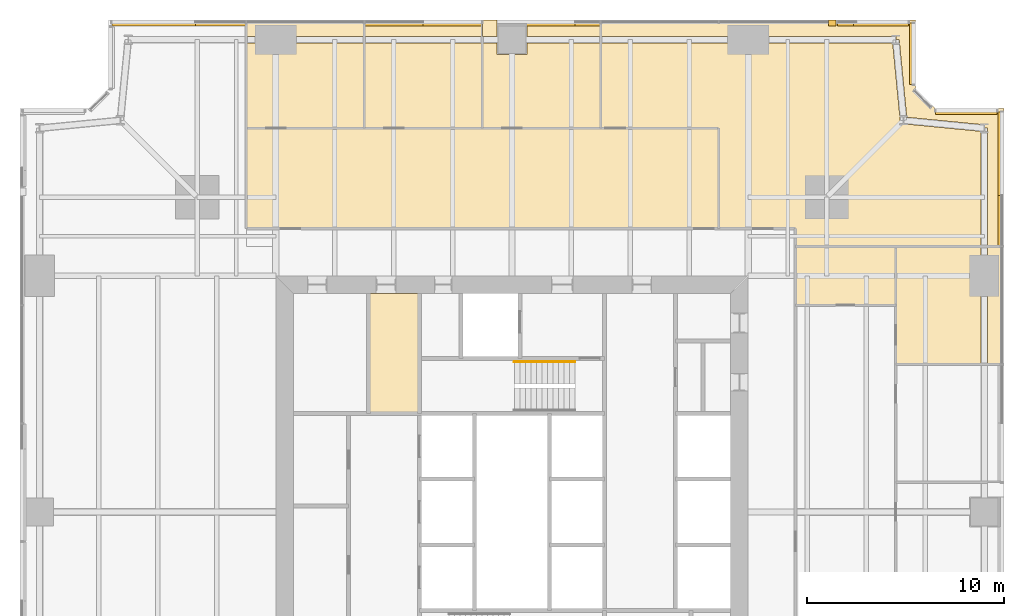
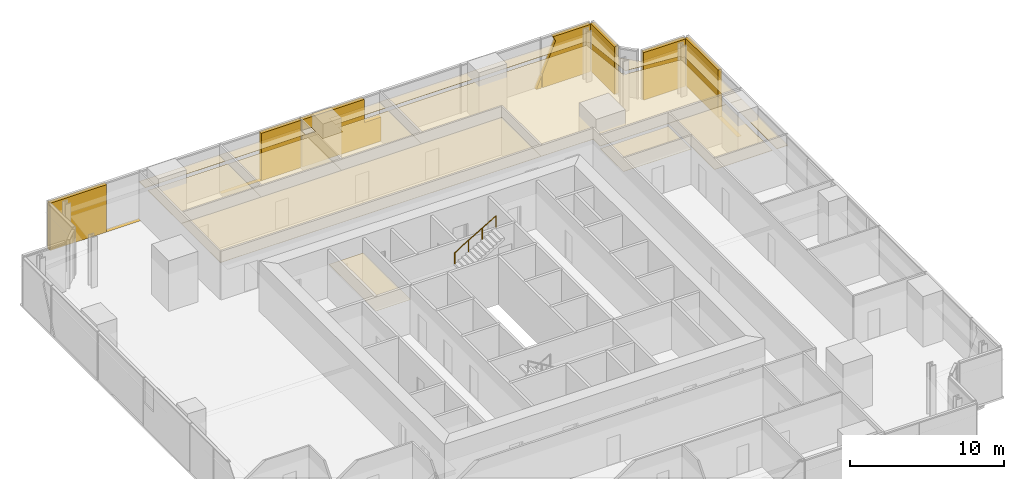
# One storey, part 13 of 13: 22 coverings, 1 railing.
"""IFC4 building model written with IfcOpenShell, lengths in metres."""

from ifc_helpers import new_model, si_unit, direction, frame, origin, origin_2d, place, context, subcontext, project, spatial, polyline, circle, outline, extrude, material, layer, layer_set, type_object, element, save


model = new_model("IFC4")

# Units and contexts
model_context = context("Model", 3, precision=1e-05, world=origin(), true_north=direction((0.0, 1.0)))
body_context = subcontext(model_context, "Body", "Model", "MODEL_VIEW")
ifc_project = project(units=[si_unit("LENGTHUNIT", "METRE"), si_unit("AREAUNIT", "SQUARE_METRE"), si_unit("VOLUMEUNIT", "CUBIC_METRE"), si_unit("PLANEANGLEUNIT", "RADIAN"), si_unit("MASSUNIT", "GRAM", prefix="KILO")], contexts=[model_context])

# Site, building, storey
site_placement = place(None, origin())
site = spatial("IfcSite", under=ifc_project, at=site_placement, CompositionType="ELEMENT")
building_placement = place(site_placement, origin())
building = spatial("IfcBuilding", under=site, at=building_placement, Name="Fenwick Lantern Interchange", CompositionType="ELEMENT")
storey_placement = place(building_placement, frame((0.0, 0.0, 110.39990234375)))
storey = spatial("IfcBuildingStorey", under=building, at=storey_placement, Name="L25", CompositionType="ELEMENT", Elevation=110.39990234375)

# Coverings
ifc_material_1 = material(Name="Mineral fibre acoustic tile on suspended grid")
ifc_layer_1 = layer(ifc_material_1, 0.02001953125)
ifc_layer_set_1 = layer_set([ifc_layer_1], Name="ACOUSTIC TILE CEILING 20")
covering_type_1 = type_object("IfcCoveringType", Name="ACOUSTIC TILE CEILING 20", PredefinedType="CEILING", material=ifc_layer_set_1)
covering_1_placement = place(storey_placement, frame((0.0, 0.0, 2.900146484375)))
element("IfcCovering", 1, at=covering_1_placement, inside=storey, type_object=covering_type_1, Name="Meeting room ceiling", PredefinedType="CEILING", context=body_context, shape_type="SweptSolid", body=[
    extrude(outline(polyline([(44.5, 32.5), (48.82763671875, 32.5), (48.82763671875, 37.0), (48.82763671875, 38.5), (44.5, 38.5), (44.5, 32.5)])), origin(), (0.0, 0.0, 1.0), 0.02001953125),
])
covering_2_placement = place(storey_placement, frame((0.0, 0.0, 2.900146484375)))
element("IfcCovering", 2, at=covering_2_placement, inside=storey, type_object=covering_type_1, Name="Meeting room ceiling", PredefinedType="CEILING", context=body_context, shape_type="SweptSolid", body=[
    extrude(outline(polyline([(50.0, 38.5), (49.17236328125, 38.5), (49.17236328125, 37.0), (49.17236328125, 32.5), (50.0, 32.5), (50.0, 38.5)])), origin(), (0.0, 0.0, 1.0), 0.02001953125),
])
covering_3_placement = place(storey_placement, frame((0.0, 0.0, 2.900146484375)))
element("IfcCovering", 3, at=covering_3_placement, inside=storey, type_object=covering_type_1, Name="Office suite ceiling", PredefinedType="CEILING", context=body_context, shape_type="SweptSolid", body=[
    extrude(outline(polyline([(35.5, 39.39990234375), (35.5, 44.5), (11.5, 44.5), (11.5, 39.39990234375), (35.5, 39.39990234375)])), origin(), (0.0, 0.0, 1.0), 0.02001953125),
])
covering_4_placement = place(storey_placement, frame((0.0, 0.0, 2.900146484375)))
element("IfcCovering", 4, at=covering_4_placement, inside=storey, type_object=covering_type_1, Name="Meeting room ceiling", PredefinedType="CEILING", context=body_context, shape_type="SweptSolid", body=[
    extrude(outline(polyline([(29.5, 48.82763671875), (29.5, 44.5), (35.5, 44.5), (35.5, 39.39990234375), (39.39990234375, 39.39990234375), (39.39990234375, 38.5), (48.82763671875, 38.5), (48.82763671875, 44.343505859375), (44.88330078125, 44.728515625), (44.89990234375, 44.89990234375), (44.728515625, 44.88330078125), (44.343505859375, 48.82763671875), (37.0, 48.82763671875), (29.5, 48.82763671875)])), origin(), (0.0, 0.0, 1.0), 0.02001953125),
])
covering_5_placement = place(storey_placement, frame((0.0, 0.0, 2.900146484375)))
element("IfcCovering", 5, at=covering_5_placement, inside=storey, type_object=covering_type_1, Name="Meeting room ceiling", PredefinedType="CEILING", context=body_context, shape_type="SweptSolid", body=[
    extrude(outline(polyline([(29.5, 50.0), (29.5, 49.17236328125), (37.0, 49.17236328125), (44.5, 49.17236328125), (44.5, 49.0), (44.671630859375, 49.016845703125), (45.057861328125, 45.057861328125), (49.016845703125, 44.671630859375), (49.0, 44.5), (49.17236328125, 44.5), (49.17236328125, 38.5), (50.0, 38.5), (50.0, 45.5), (46.5, 45.5), (45.5, 46.5), (45.5, 50.0), (29.5, 50.0)])), origin(), (0.0, 0.0, 1.0), 0.02001953125),
])
covering_6_placement = place(storey_placement, frame((0.0, 0.0, 2.900146484375)))
element("IfcCovering", 6, at=covering_6_placement, inside=storey, type_object=covering_type_1, Name="Meeting room ceiling", PredefinedType="CEILING", context=body_context, shape_type="SweptSolid", body=[
    extrude(outline(polyline([(29.5, 44.5), (29.5, 48.82763671875), (25.75, 48.82763671875), (25.75, 48.25), (24.25, 48.25), (24.25, 48.82763671875), (23.5, 48.82763671875), (23.5, 44.5), (29.5, 44.5)])), origin(), (0.0, 0.0, 1.0), 0.02001953125),
])
covering_7_placement = place(storey_placement, frame((0.0, 0.0, 2.900146484375)))
element("IfcCovering", 7, at=covering_7_placement, inside=storey, type_object=covering_type_1, Name="Meeting room ceiling", PredefinedType="CEILING", context=body_context, shape_type="SweptSolid", body=[
    extrude(outline(polyline([(29.5, 49.17236328125), (29.5, 50.0), (25.75, 50.0), (25.75, 49.17236328125), (29.5, 49.17236328125)])), origin(), (0.0, 0.0, 1.0), 0.02001953125),
])
covering_8_placement = place(storey_placement, frame((0.0, 0.0, 2.900146484375)))
element("IfcCovering", 8, at=covering_8_placement, inside=storey, type_object=covering_type_1, Name="Meeting room ceiling", PredefinedType="CEILING", context=body_context, shape_type="SweptSolid", body=[
    extrude(outline(polyline([(23.5, 50.0), (23.5, 49.17236328125), (24.25, 49.17236328125), (24.25, 50.0), (23.5, 50.0)])), origin(), (0.0, 0.0, 1.0), 0.02001953125),
])
covering_9_placement = place(storey_placement, frame((0.0, 0.0, 2.900146484375)))
element("IfcCovering", 9, at=covering_9_placement, inside=storey, type_object=covering_type_1, Name="Meeting room ceiling", PredefinedType="CEILING", context=body_context, shape_type="SweptSolid", body=[
    extrude(outline(polyline([(23.5, 44.5), (23.5, 48.82763671875), (17.5, 48.82763671875), (17.5, 44.5), (23.5, 44.5)])), origin(), (0.0, 0.0, 1.0), 0.02001953125),
])
covering_10_placement = place(storey_placement, frame((0.0, 0.0, 2.900146484375)))
element("IfcCovering", 10, at=covering_10_placement, inside=storey, type_object=covering_type_1, Name="Meeting room ceiling", PredefinedType="CEILING", context=body_context, shape_type="SweptSolid", body=[
    extrude(outline(polyline([(17.5, 50.0), (17.5, 49.17236328125), (23.5, 49.17236328125), (23.5, 50.0), (17.5, 50.0)])), origin(), (0.0, 0.0, 1.0), 0.02001953125),
])
covering_11_placement = place(storey_placement, frame((0.0, 0.0, 2.900146484375)))
element("IfcCovering", 11, at=covering_11_placement, inside=storey, type_object=covering_type_1, Name="Meeting room ceiling", PredefinedType="CEILING", context=body_context, shape_type="SweptSolid", body=[
    extrude(outline(polyline([(17.5, 44.5), (17.5, 48.82763671875), (13.0, 48.82763671875), (11.5, 48.82763671875), (11.5, 44.5), (17.5, 44.5)])), origin(), (0.0, 0.0, 1.0), 0.02001953125),
])
covering_12_placement = place(storey_placement, frame((0.0, 0.0, 2.900146484375)))
element("IfcCovering", 12, at=covering_12_placement, inside=storey, type_object=covering_type_1, Name="Meeting room ceiling", PredefinedType="CEILING", context=body_context, shape_type="SweptSolid", body=[
    extrude(outline(polyline([(11.5, 50.0), (11.5, 49.17236328125), (13.0, 49.17236328125), (17.5, 49.17236328125), (17.5, 50.0), (11.5, 50.0)])), origin(), (0.0, 0.0, 1.0), 0.02001953125),
])
ifc_material_2 = material(Name="Granite cladding, warm grey flamed finish, on aluminium carrier frame", Category="masonry")
ifc_layer_2 = layer(ifc_material_2, 0.300048828125)
ifc_layer_set_2 = layer_set([ifc_layer_2], Name="BRACE CASING PANEL 300")
covering_type_2 = type_object("IfcCoveringType", Name="BRACE CASING PANEL 300", PredefinedType="CLADDING", material=ifc_layer_set_2)
covering_13_placement = place(storey_placement, frame((49.89990234375, 4.60009765625, 0.0), z_axis=(0.0, 0.0, 1.0), x_axis=(0.0, 1.0, 0.0)))
element("IfcCovering", 13, at=covering_13_placement, inside=storey, type_object=covering_type_2, Name="Brace casing 05 bay 06a", PredefinedType="CLADDING", context=body_context, shape_type="SweptSolid", body=[
    extrude(outline(polyline([(33.9326171875, 0.0), (40.735107421875, 0.0), (40.735107421875, 3.75), (36.487548828125, 3.75), (36.487548828125, 0.003173828125), (33.9326171875, 0.003173828125), (33.9326171875, 0.0)])), frame((0.0, 0.2001953125, 0.0), z_axis=(0.0, -1.0, 0.0), x_axis=(1.0, 0.0, 0.0)), (0.0, 0.0, 1.0), 0.300048828125),
])
for number, where, z_axis, x_axis, name in (
    (14, (49.89990234375, 45.39990234375, 0.0), (0.0, 0.0, 1.0), (-1.0, 0.0, 0.0), "Brace casing 06 bay 00a"),
    (15, (45.39990234375, 46.45849609375, 0.0), (0.0, 0.0, 1.0), (0.0, 1.0, 0.0), "Brace casing 08 bay 00a"),
):
    element("IfcCovering", number, at=place(storey_placement, frame(where, z_axis=z_axis, x_axis=x_axis)), inside=storey, type_object=covering_type_2, Name=name, PredefinedType="CLADDING", context=body_context, shape_type="SweptSolid", body=[
        extrude(outline(polyline([(0.264892578125, 0.0), (3.37646484375, 0.0), (3.37646484375, 3.75), (0.264892578125, 3.75), (0.264892578125, 0.0)])), frame((0.0, 0.2001953125, 0.0), z_axis=(0.0, -1.0, 0.0), x_axis=(1.0, 0.0, 0.0)), (0.0, 0.0, 1.0), 0.300048828125),
    ])
covering_14_placement = place(storey_placement, frame((45.39990234375, 49.89990234375, 0.0), z_axis=(0.0, 0.0, 1.0), x_axis=(-1.0, 0.0, 0.0)))
element("IfcCovering", 16, at=covering_14_placement, inside=storey, type_object=covering_type_2, Name="Brace casing 09 bay 00a", PredefinedType="CLADDING", context=body_context, shape_type="SweptSolid", body=[
    extrude(outline(polyline([(0.264892578125, 0.0), (3.867431640625, 0.0), (3.867431640625, 1.041015625), (2.87255859375, 3.361328125), (3.0546875, 3.75), (0.264892578125, 3.75), (0.264892578125, 0.0)])), frame((0.0, 0.2001953125, 0.0), z_axis=(0.0, -1.0, 0.0), x_axis=(1.0, 0.0, 0.0)), (0.0, 0.0, 1.0), 0.300048828125),
])
covering_15_placement = place(storey_placement, frame((45.39990234375, 49.89990234375, 0.0), z_axis=(0.0, 0.0, 1.0), x_axis=(-1.0, 0.0, 0.0)))
element("IfcCovering", 17, at=covering_15_placement, inside=storey, type_object=covering_type_2, Name="Brace casing 09 bay 01a", PredefinedType="CLADDING", context=body_context, shape_type="SweptSolid", body=[
    extrude(outline(polyline([(3.9326171875, 0.0), (4.313720703125, 0.0), (3.9326171875, 0.889404296875), (3.9326171875, 0.0)])), frame((0.0, 0.2001953125, 0.0), z_axis=(0.0, -1.0, 0.0), x_axis=(1.0, 0.0, 0.0)), (0.0, 0.0, 1.0), 0.300048828125),
])
covering_16_placement = place(storey_placement, frame((45.39990234375, 49.89990234375, 0.0), z_axis=(0.0, 0.0, 1.0), x_axis=(-1.0, 0.0, 0.0)))
element("IfcCovering", 18, at=covering_16_placement, inside=storey, type_object=covering_type_2, Name="Brace casing 09 bay 03a", PredefinedType="CLADDING", context=body_context, shape_type="SweptSolid", body=[
    extrude(outline(polyline([(15.9326171875, 0.0), (21.867431640625, 0.0), (21.867431640625, 3.75), (17.197509765625, 3.75), (17.197509765625, 1.907958984375), (15.9326171875, 1.907958984375), (15.9326171875, 0.0)])), frame((0.0, 0.2001953125, 0.0), z_axis=(0.0, -1.0, 0.0), x_axis=(1.0, 0.0, 0.0)), (0.0, 0.0, 1.0), 0.300048828125),
])
covering_17_placement = place(storey_placement, frame((45.39990234375, 49.89990234375, 0.0), z_axis=(0.0, 0.0, 1.0), x_axis=(-1.0, 0.0, 0.0)))
element("IfcCovering", 19, at=covering_17_placement, inside=storey, type_object=covering_type_2, Name="Brace casing 09 bay 04a", PredefinedType="CLADDING", context=body_context, shape_type="SweptSolid", body=[
    extrude(outline(polyline([(21.9326171875, 0.0), (27.867431640625, 0.0), (27.867431640625, 0.002197265625), (24.909912109375, 0.002197265625), (24.909912109375, 3.75), (21.9326171875, 3.75), (21.9326171875, 0.0)])), frame((0.0, 0.2001953125, 0.0), z_axis=(0.0, -1.0, 0.0), x_axis=(1.0, 0.0, 0.0)), (0.0, 0.0, 1.0), 0.300048828125),
])
covering_18_placement = place(storey_placement, frame((45.39990234375, 49.89990234375, 0.0), z_axis=(0.0, 0.0, 1.0), x_axis=(-1.0, 0.0, 0.0)))
element("IfcCovering", 20, at=covering_18_placement, inside=storey, type_object=covering_type_2, Name="Brace casing 09 bay 06a", PredefinedType="CLADDING", context=body_context, shape_type="SweptSolid", body=[
    extrude(outline(polyline([(33.9326171875, 0.0), (40.735107421875, 0.0), (40.735107421875, 3.75), (36.487548828125, 3.75), (36.487548828125, 0.003173828125), (33.9326171875, 0.003173828125), (33.9326171875, 0.0)])), frame((0.0, 0.2001953125, 0.0), z_axis=(0.0, -1.0, 0.0), x_axis=(1.0, 0.0, 0.0)), (0.0, 0.0, 1.0), 0.300048828125),
])

# Railing
ifc_material_3 = material(Name="Stainless steel handrail", Category="steel")
railing_type = type_object("IfcRailingType", Name="HANDRAIL 900", PredefinedType="HANDRAIL", material=ifc_material_3)
railing_placement = place(storey_placement, frame((25.1201171875, 32.6259765625, 2.166748046875)))
element("IfcRailing", 21, at=railing_placement, inside=storey, type_object=railing_type, Name="L25/STAIR/ST2/HR2", PredefinedType="HANDRAIL", context=body_context, shape_type="SweptSolid", body=[
    extrude(circle(Radius=0.02392578125, at=origin_2d()), frame((0.0, 0.0, 0.8759765625), z_axis=(0.859290745958, 0.0, 0.51148745235), x_axis=(0.0, 1.0, 0.0)), (0.0, 0.0, 1.0), 3.584228515625),
    extrude(circle(Radius=0.02099609375, at=origin_2d()), origin(), (0.0, 0.0, 1.0), 0.851806640625),
    extrude(circle(Radius=0.02099609375, at=origin_2d()), frame((1.026611328125, 0.0, 0.611083984375)), (0.0, 0.0, 1.0), 0.851806640625),
    extrude(circle(Radius=0.02099609375, at=origin_2d()), frame((2.05322265625, 0.0, 1.22216796875)), (0.0, 0.0, 1.0), 0.851806640625),
    extrude(circle(Radius=0.02099609375, at=origin_2d()), frame((3.079833984375, 0.0, 1.833251953125)), (0.0, 0.0, 1.0), 0.851806640625),
])

# Coverings
ifc_material_4 = material(Name="Moisture resistant gypsum board on suspended frame, painted")
ifc_layer_3 = layer(ifc_material_4, 0.014892578125)
ifc_layer_set_3 = layer_set([ifc_layer_3], Name="MOISTURE RESISTANT CEILING 15")
covering_type_3 = type_object("IfcCoveringType", Name="MOISTURE RESISTANT CEILING 15", PredefinedType="CEILING", material=ifc_layer_set_3)
covering_19_placement = place(storey_placement, frame((0.0, 0.0, 2.60009765625)))
element("IfcCovering", 22, at=covering_19_placement, inside=storey, type_object=covering_type_3, Name="Men's WC ceiling", PredefinedType="CEILING", context=body_context, shape_type="SweptSolid", body=[
    extrude(outline(polyline([(20.300048828125, 36.10009765625), (17.699951171875, 36.10009765625), (17.699951171875, 30.0), (20.300048828125, 30.0), (20.300048828125, 36.10009765625)])), origin(), (0.0, 0.0, 1.0), 0.014892578125),
])
covering_20_placement = place(storey_placement, frame((0.0, 0.0, 2.7001953125)))
element("IfcCovering", 23, at=covering_20_placement, inside=storey, type_object=covering_type_3, Name="Pantry ceiling", PredefinedType="CEILING", context=body_context, shape_type="SweptSolid", body=[
    extrude(outline(polyline([(44.5, 35.5), (44.5, 38.5), (39.39990234375, 38.5), (39.39990234375, 35.5), (44.5, 35.5)])), origin(), (0.0, 0.0, 1.0), 0.014892578125),
])

save(model, "model.ifc")
